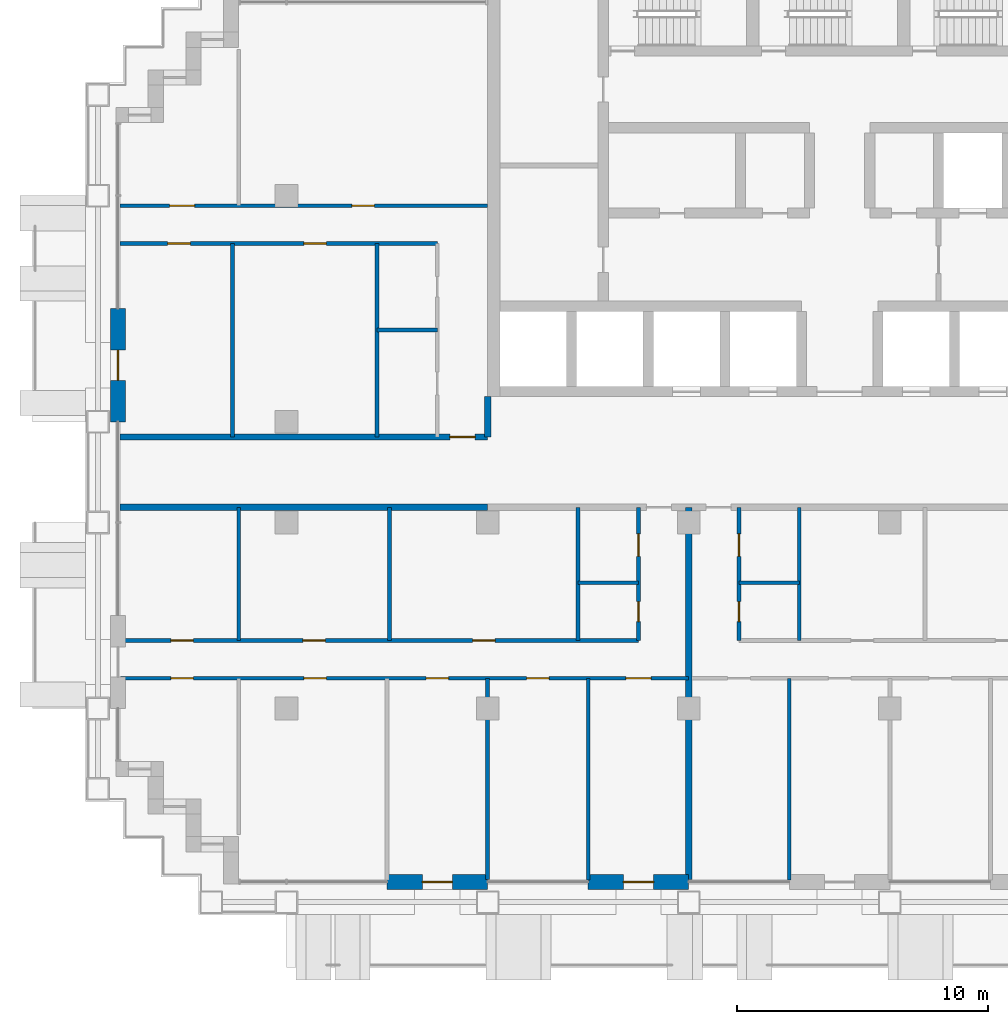
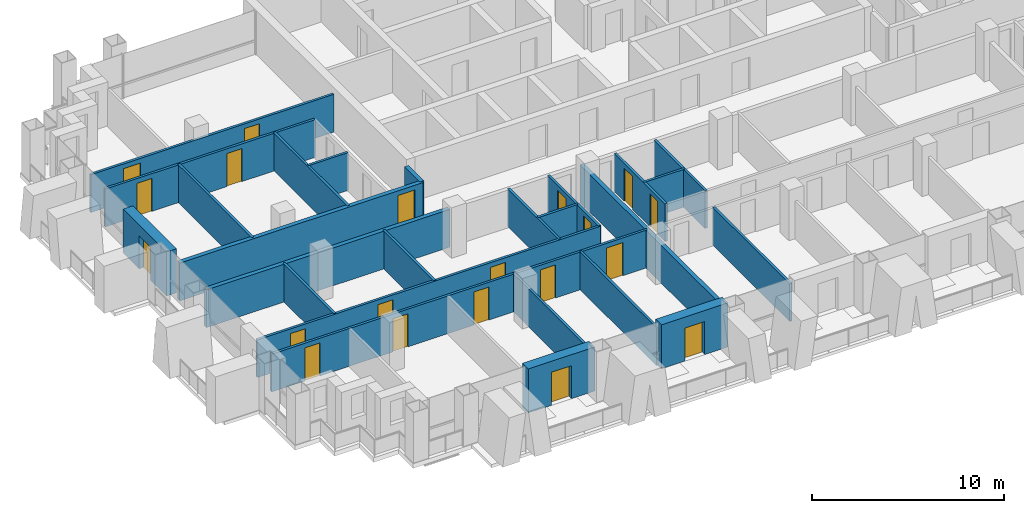
# One storey, part 9 of 18: 25 walls, 20 doors, 20 openings.
"""IFC4 building model written with IfcOpenShell, lengths in metres."""

from ifc_helpers import new_model, si_unit, direction, frame, frame_2d, origin, place, context, subcontext, project, spatial, rectangle, extrude, material, layer, layer_set, type_object, element, fill, save


model = new_model("IFC4")

# Units and contexts
model_context = context("Model", 3, precision=1e-05, world=origin(), true_north=direction((0.0, 1.0)))
body_context = subcontext(model_context, "Body", "Model", "MODEL_VIEW")
ifc_project = project(units=[si_unit("LENGTHUNIT", "METRE"), si_unit("AREAUNIT", "SQUARE_METRE"), si_unit("VOLUMEUNIT", "CUBIC_METRE"), si_unit("PLANEANGLEUNIT", "RADIAN"), si_unit("MASSUNIT", "GRAM", prefix="KILO")], contexts=[model_context])

# Site, building, storey
site_placement = place(None, origin())
site = spatial("IfcSite", under=ifc_project, at=site_placement, CompositionType="ELEMENT")
building_placement = place(site_placement, origin())
building = spatial("IfcBuilding", under=site, at=building_placement, Name="Vidyagriha Tower", CompositionType="ELEMENT")
storey_placement = place(building_placement, frame((0.0, 0.0, 103.10009765625)))
storey = spatial("IfcBuildingStorey", under=building, at=storey_placement, Name="L27", CompositionType="ELEMENT", Elevation=103.10009765625)

# Wall, opening, door
ifc_material_1 = material(Name="Precast concrete C40/50 with brick facing", Category="concrete")
ifc_layer_1 = layer(ifc_material_1, 0.60009765625)
ifc_layer_set_1 = layer_set([ifc_layer_1], Name="Precast concrete C40/50 with brick facing")
wall_type_1 = type_object("IfcWallType", Name="Brick-faced precast wall 600", PredefinedType="STANDARD", material=ifc_layer_set_1)
wall_1_placement = place(storey_placement, frame((-28.699951171875, 6.5, 0.0), z_axis=(0.0, 0.0, 1.0), x_axis=(0.0, -1.0, 0.0)))
wall_1 = element("IfcWall", 1, at=wall_1_placement, inside=storey, type_object=wall_type_1, Name="Brick door bay wall L27 R16.3", PredefinedType="STANDARD", context=body_context, shape_type="SweptSolid", body=[
    extrude(rectangle(XDim=4.5, YDim=0.60009765625, at=frame_2d((2.25, 0.0))), origin(), (0.0, 0.0, 1.0), 2.7998046875),
])
opening_1_placement = place(wall_1_placement, frame((1.64990234375, 0.0, 0.0)))
opening_1 = element("IfcOpeningElement", 2, at=opening_1_placement, cuts=wall_1, Name="Opening D27-68", PredefinedType="OPENING", context=body_context, shape_type="SweptSolid", body=[
    extrude(rectangle(XDim=1.199951171875, YDim=2.10009765625, at=frame_2d((0.60009765625, 1.050048828125))), frame((0.0, 0.31005859375, 0.0), z_axis=(0.0, -1.0, 0.0), x_axis=(1.0, 0.0, 0.0)), (0.0, 0.0, 1.0), 0.6201171875),
])
ifc_material_2 = material(Name="Aluminium framed glazed sliding door", Category="aluminium")
door_type_1 = type_object("IfcDoorType", Name="Balcony sliding door 1200x2100", OperationType="NOTDEFINED", PredefinedType="DOOR", material=ifc_material_2)
door_1_placement = place(opening_1_placement, origin())
door_1 = element("IfcDoor", 3, at=door_1_placement, inside=storey, type_object=door_type_1, Name="Door D27-68", OperationType="SLIDING_TO_LEFT", OverallHeight=2.10009765625, OverallWidth=1.199951171875, PredefinedType="DOOR", context=body_context, shape_type="SweptSolid", body=[
    extrude(rectangle(XDim=1.199951171875, YDim=2.10009765625, at=frame_2d((0.60009765625, 1.050048828125))), frame((0.0, 0.02490234375, 0.0), z_axis=(0.0, -1.0, 0.0), x_axis=(1.0, 0.0, 0.0)), (0.0, 0.0, 1.0), 0.050048828125),
])
fill(opening_1, door_1)

wall_2_placement = place(storey_placement, frame((-18.0, -16.300048828125, 0.0)))
wall_2 = element("IfcWall", 4, at=wall_2_placement, inside=storey, type_object=wall_type_1, Name="Brick door bay wall L27 R23.3", PredefinedType="STANDARD", context=body_context, shape_type="SweptSolid", body=[
    extrude(rectangle(XDim=4.0, YDim=0.60009765625, at=frame_2d((2.0, 0.0))), origin(), (0.0, 0.0, 1.0), 2.7998046875),
])
opening_2_placement = place(wall_2_placement, frame((1.39990234375, 0.0, 0.0)))
opening_2 = element("IfcOpeningElement", 5, at=opening_2_placement, cuts=wall_2, Name="Opening D27-70", PredefinedType="OPENING", context=body_context, shape_type="SweptSolid", body=[
    extrude(rectangle(XDim=1.199951171875, YDim=2.10009765625, at=frame_2d((0.60009765625, 1.050048828125))), frame((0.0, 0.31005859375, 0.0), z_axis=(0.0, -1.0, 0.0), x_axis=(1.0, 0.0, 0.0)), (0.0, 0.0, 1.0), 0.6201171875),
])
door_2_placement = place(opening_2_placement, origin())
door_2 = element("IfcDoor", 6, at=door_2_placement, inside=storey, type_object=door_type_1, Name="Door D27-70", OperationType="SLIDING_TO_LEFT", OverallHeight=2.10009765625, OverallWidth=1.199951171875, PredefinedType="DOOR", context=body_context, shape_type="SweptSolid", body=[
    extrude(rectangle(XDim=1.199951171875, YDim=2.10009765625, at=frame_2d((0.60009765625, 1.050048828125))), frame((0.0, 0.02490234375, 0.0), z_axis=(0.0, -1.0, 0.0), x_axis=(1.0, 0.0, 0.0)), (0.0, 0.0, 1.0), 0.050048828125),
])
fill(opening_2, door_2)

wall_3_placement = place(storey_placement, frame((-10.0, -16.300048828125, 0.0)))
wall_3 = element("IfcWall", 7, at=wall_3_placement, inside=storey, type_object=wall_type_1, Name="Brick door bay wall L27 R23.5", PredefinedType="STANDARD", context=body_context, shape_type="SweptSolid", body=[
    extrude(rectangle(XDim=4.0, YDim=0.60009765625, at=frame_2d((2.0, 0.0))), origin(), (0.0, 0.0, 1.0), 2.7998046875),
])
opening_3_placement = place(wall_3_placement, frame((1.39990234375, 0.0, 0.0)))
opening_3 = element("IfcOpeningElement", 8, at=opening_3_placement, cuts=wall_3, Name="Opening D27-71", PredefinedType="OPENING", context=body_context, shape_type="SweptSolid", body=[
    extrude(rectangle(XDim=1.199951171875, YDim=2.10009765625, at=frame_2d((0.60009765625, 1.050048828125))), frame((0.0, 0.31005859375, 0.0), z_axis=(0.0, -1.0, 0.0), x_axis=(1.0, 0.0, 0.0)), (0.0, 0.0, 1.0), 0.6201171875),
])
door_3_placement = place(opening_3_placement, origin())
door_3 = element("IfcDoor", 9, at=door_3_placement, inside=storey, type_object=door_type_1, Name="Door D27-71", OperationType="SLIDING_TO_LEFT", OverallHeight=2.10009765625, OverallWidth=1.199951171875, PredefinedType="DOOR", context=body_context, shape_type="SweptSolid", body=[
    extrude(rectangle(XDim=1.199951171875, YDim=2.10009765625, at=frame_2d((0.60009765625, 1.050048828125))), frame((0.0, 0.02490234375, 0.0), z_axis=(0.0, -1.0, 0.0), x_axis=(1.0, 0.0, 0.0)), (0.0, 0.0, 1.0), 0.050048828125),
])
fill(opening_3, door_3)

# Wall
ifc_material_3 = material(Name="Fired clay brick masonry", Category="masonry")
ifc_layer_2 = layer(ifc_material_3, 0.25)
ifc_layer_set_2 = layer_set([ifc_layer_2], Name="Fired clay brick masonry")
wall_type_2 = type_object("IfcWallType", Name="Fired clay brick corridor wall 250", PredefinedType="PARTITIONING", material=ifc_layer_set_2)
wall_4_placement = place(storey_placement, frame((-14.0, -1.39990234375, 0.0), z_axis=(0.0, 0.0, 1.0), x_axis=(-1.0, 0.0, 0.0)))
element("IfcWall", 10, at=wall_4_placement, inside=storey, type_object=wall_type_2, Name="Wall all-L27-w067", PredefinedType="PARTITIONING", context=body_context, shape_type="SweptSolid", body=[
    extrude(rectangle(XDim=14.6201171875, YDim=0.25, at=frame_2d((7.31005859375, 0.0))), origin(), (0.0, 0.0, 1.0), 2.39990234375),
])

# Wall, opening, door
wall_5_placement = place(storey_placement, frame((-28.6201171875, 1.39990234375, 0.0)))
wall_5 = element("IfcWall", 11, at=wall_5_placement, inside=storey, type_object=wall_type_2, Name="Wall all-L27-w084", PredefinedType="PARTITIONING", context=body_context, shape_type="SweptSolid", body=[
    extrude(rectangle(XDim=14.6201171875, YDim=0.25, at=frame_2d((7.31005859375, 0.0))), origin(), (0.0, 0.0, 1.0), 2.39990234375),
])
opening_4_placement = place(wall_5_placement, frame((13.1201171875, 0.0, 0.0)))
opening_4 = element("IfcOpeningElement", 12, at=opening_4_placement, cuts=wall_5, Name="Opening D27-52", PredefinedType="OPENING", context=body_context, shape_type="SweptSolid", body=[
    extrude(rectangle(XDim=1.0, YDim=2.10009765625, at=frame_2d((0.5, 1.050048828125))), frame((0.0, 0.135009765625, 0.0), z_axis=(0.0, -1.0, 0.0), x_axis=(1.0, 0.0, 0.0)), (0.0, 0.0, 1.0), 0.27001953125),
])
ifc_material_4 = material(Name="Fire-rated timber door leaf EI 60", Category="wood")
door_type_2 = type_object("IfcDoorType", Name="Flat entrance fire door 1000x2100", OperationType="NOTDEFINED", PredefinedType="DOOR", material=ifc_material_4)
door_4_placement = place(opening_4_placement, origin())
door_4 = element("IfcDoor", 13, at=door_4_placement, inside=storey, type_object=door_type_2, Name="Door D27-52", OperationType="SINGLE_SWING_RIGHT", OverallHeight=2.10009765625, OverallWidth=1.0, PredefinedType="DOOR", context=body_context, shape_type="SweptSolid", body=[
    extrude(rectangle(XDim=1.0, YDim=2.10009765625, at=frame_2d((0.5, 1.050048828125))), frame((0.0, 0.02490234375, 0.0), z_axis=(0.0, -1.0, 0.0), x_axis=(1.0, 0.0, 0.0)), (0.0, 0.0, 1.0), 0.050048828125),
])
fill(opening_4, door_4)

# Walls
wall_6_placement = place(storey_placement, frame((-14.0, 3.0, 0.0), z_axis=(0.0, 0.0, 1.0), x_axis=(0.0, -1.0, 0.0)))
element("IfcWall", 14, at=wall_6_placement, inside=storey, type_object=wall_type_2, Name="Wall all-L27-w119", PredefinedType="PARTITIONING", context=body_context, shape_type="SweptSolid", body=[
    extrude(rectangle(XDim=1.60009765625, YDim=0.25, at=frame_2d((0.800048828125, 0.0))), origin(), (0.0, 0.0, 1.0), 2.39990234375),
])
ifc_material_5 = material(Name="Fired clay brick masonry", Category="masonry")
ifc_layer_3 = layer(ifc_material_5, 0.25)
ifc_layer_set_3 = layer_set([ifc_layer_3], Name="Fired clay brick masonry")
wall_type_3 = type_object("IfcWallType", Name="Fired clay brick demising wall 250", PredefinedType="PARTITIONING", material=ifc_layer_set_3)
wall_7_placement = place(storey_placement, frame((-6.0, -1.39990234375, 0.0), z_axis=(0.0, 0.0, 1.0), x_axis=(0.0, -1.0, 0.0)))
element("IfcWall", 15, at=wall_7_placement, inside=storey, type_object=wall_type_3, Name="Wall all-L27-w045", PredefinedType="PARTITIONING", context=body_context, shape_type="SweptSolid", body=[
    extrude(rectangle(XDim=14.81005859375, YDim=0.25, at=frame_2d((7.405029296875, 0.0))), origin(), (0.0, 0.0, 1.0), 2.39990234375),
])
ifc_material_6 = material(Name="Gypsum board partition")
ifc_layer_4 = layer(ifc_material_6, 0.14990234375)
ifc_layer_set_4 = layer_set([ifc_layer_4], Name="Gypsum board partition")
wall_type_4 = type_object("IfcWallType", Name="Gypsum board partition 150", PredefinedType="PARTITIONING", material=ifc_layer_set_4)
wall_8_placement = place(storey_placement, frame((-8.0, -4.39990234375, 0.0), z_axis=(0.0, 0.0, 1.0), x_axis=(-1.0, 0.0, 0.0)))
element("IfcWall", 16, at=wall_8_placement, inside=storey, type_object=wall_type_4, Name="Wall all-L27-w004", PredefinedType="PARTITIONING", context=body_context, shape_type="SweptSolid", body=[
    extrude(rectangle(XDim=2.39990234375, YDim=0.14990234375, at=frame_2d((1.199951171875, 0.0))), origin(), (0.0, 0.0, 1.0), 2.39990234375),
])
for number, where, z_axis, x_axis, name in (
    (17, (-10.39990234375, -6.699951171875, 0.0), (0.0, 0.0, 1.0), (0.0, 1.0, 0.0), "Wall all-L27-w005"),
    (18, (-17.89990234375, -6.699951171875, 0.0), (0.0, 0.0, 1.0), (0.0, 1.0, 0.0), "Wall all-L27-w006"),
    (19, (-23.89990234375, -6.699951171875, 0.0), (0.0, 0.0, 1.0), (0.0, 1.0, 0.0), "Wall all-L27-w007"),
):
    element("IfcWall", number, at=place(storey_placement, frame(where, z_axis=z_axis, x_axis=x_axis)), inside=storey, type_object=wall_type_4, Name=name, PredefinedType="PARTITIONING", context=body_context, shape_type="SweptSolid", body=[
        extrude(rectangle(XDim=5.300048828125, YDim=0.14990234375, at=frame_2d((2.64990234375, 0.0))), origin(), (0.0, 0.0, 1.0), 2.39990234375),
    ])

# Wall, openings, doors
wall_9_placement = place(storey_placement, frame((-28.610107421875, -6.699951171875, 0.0)))
wall_9 = element("IfcWall", 20, at=wall_9_placement, inside=storey, type_object=wall_type_4, Name="Wall all-L27-w008", PredefinedType="PARTITIONING", context=body_context, shape_type="SweptSolid", body=[
    extrude(rectangle(XDim=20.610107421875, YDim=0.14990234375, at=frame_2d((10.30517578125, 0.0))), origin(), (0.0, 0.0, 1.0), 2.39990234375),
])
opening_5_placement = place(wall_9_placement, frame((14.010009765625, 0.0, 0.0)))
opening_5 = element("IfcOpeningElement", 21, at=opening_5_placement, cuts=wall_9, Name="Opening D27-16", PredefinedType="OPENING", context=body_context, shape_type="SweptSolid", body=[
    extrude(rectangle(XDim=0.89990234375, YDim=2.10009765625, at=frame_2d((0.449951171875, 1.050048828125))), frame((0.0, 0.0849609375, 0.0), z_axis=(0.0, -1.0, 0.0), x_axis=(1.0, 0.0, 0.0)), (0.0, 0.0, 1.0), 0.169921875),
])
opening_6_placement = place(wall_9_placement, frame((7.260009765625, 0.0, 0.0)))
opening_6 = element("IfcOpeningElement", 22, at=opening_6_placement, cuts=wall_9, Name="Opening D27-17", PredefinedType="OPENING", context=body_context, shape_type="SweptSolid", body=[
    extrude(rectangle(XDim=0.89990234375, YDim=2.10009765625, at=frame_2d((0.449951171875, 1.050048828125))), frame((0.0, 0.0849609375, 0.0), z_axis=(0.0, -1.0, 0.0), x_axis=(1.0, 0.0, 0.0)), (0.0, 0.0, 1.0), 0.169921875),
])
opening_7_placement = place(wall_9_placement, frame((2.010009765625, 0.0, 0.0)))
opening_7 = element("IfcOpeningElement", 23, at=opening_7_placement, cuts=wall_9, Name="Opening D27-18", PredefinedType="OPENING", context=body_context, shape_type="SweptSolid", body=[
    extrude(rectangle(XDim=0.89990234375, YDim=2.10009765625, at=frame_2d((0.449951171875, 1.050048828125))), frame((0.0, 0.0849609375, 0.0), z_axis=(0.0, -1.0, 0.0), x_axis=(1.0, 0.0, 0.0)), (0.0, 0.0, 1.0), 0.169921875),
])
ifc_material_7 = material(Name="Timber door leaf", Category="wood")
door_type_3 = type_object("IfcDoorType", Name="Room door 900x2100", OperationType="NOTDEFINED", PredefinedType="DOOR", material=ifc_material_7)
door_5_placement = place(opening_5_placement, origin())
door_5 = element("IfcDoor", 24, at=door_5_placement, inside=storey, type_object=door_type_3, Name="Door D27-16", OperationType="SINGLE_SWING_LEFT", OverallHeight=2.10009765625, OverallWidth=0.89990234375, PredefinedType="DOOR", context=body_context, shape_type="SweptSolid", body=[
    extrude(rectangle(XDim=0.89990234375, YDim=2.10009765625, at=frame_2d((0.449951171875, 1.050048828125))), frame((0.0, 0.02490234375, 0.0), z_axis=(0.0, -1.0, 0.0), x_axis=(1.0, 0.0, 0.0)), (0.0, 0.0, 1.0), 0.050048828125),
])
fill(opening_5, door_5)
door_6_placement = place(opening_6_placement, origin())
door_6 = element("IfcDoor", 25, at=door_6_placement, inside=storey, type_object=door_type_3, Name="Door D27-17", OperationType="SINGLE_SWING_RIGHT", OverallHeight=2.10009765625, OverallWidth=0.89990234375, PredefinedType="DOOR", context=body_context, shape_type="SweptSolid", body=[
    extrude(rectangle(XDim=0.89990234375, YDim=2.10009765625, at=frame_2d((0.449951171875, 1.050048828125))), frame((0.0, 0.02490234375, 0.0), z_axis=(0.0, -1.0, 0.0), x_axis=(1.0, 0.0, 0.0)), (0.0, 0.0, 1.0), 0.050048828125),
])
fill(opening_6, door_6)
door_7_placement = place(opening_7_placement, origin())
door_7 = element("IfcDoor", 26, at=door_7_placement, inside=storey, type_object=door_type_3, Name="Door D27-18", OperationType="SINGLE_SWING_RIGHT", OverallHeight=2.10009765625, OverallWidth=0.89990234375, PredefinedType="DOOR", context=body_context, shape_type="SweptSolid", body=[
    extrude(rectangle(XDim=0.89990234375, YDim=2.10009765625, at=frame_2d((0.449951171875, 1.050048828125))), frame((0.0, 0.02490234375, 0.0), z_axis=(0.0, -1.0, 0.0), x_axis=(1.0, 0.0, 0.0)), (0.0, 0.0, 1.0), 0.050048828125),
])
fill(opening_7, door_7)

wall_10_placement = place(storey_placement, frame((-6.0, -8.199951171875, 0.0), z_axis=(0.0, 0.0, 1.0), x_axis=(-1.0, 0.0, 0.0)))
wall_10 = element("IfcWall", 27, at=wall_10_placement, inside=storey, type_object=wall_type_4, Name="Wall all-L27-w012", PredefinedType="PARTITIONING", context=body_context, shape_type="SweptSolid", body=[
    extrude(rectangle(XDim=22.610107421875, YDim=0.14990234375, at=frame_2d((11.30517578125, 0.0))), origin(), (0.0, 0.0, 1.0), 2.39990234375),
])
opening_8_placement = place(wall_10_placement, frame((19.699951171875, 0.0, 0.0)))
opening_8 = element("IfcOpeningElement", 28, at=opening_8_placement, cuts=wall_10, Name="Opening D27-19", PredefinedType="OPENING", context=body_context, shape_type="SweptSolid", body=[
    extrude(rectangle(XDim=0.89990234375, YDim=2.10009765625, at=frame_2d((0.449951171875, 1.050048828125))), frame((0.0, 0.0849609375, 0.0), z_axis=(0.0, -1.0, 0.0), x_axis=(1.0, 0.0, 0.0)), (0.0, 0.0, 1.0), 0.169921875),
])
opening_9_placement = place(wall_10_placement, frame((14.410888671875, 0.0, 0.0)))
opening_9 = element("IfcOpeningElement", 29, at=opening_9_placement, cuts=wall_10, Name="Opening D27-20", PredefinedType="OPENING", context=body_context, shape_type="SweptSolid", body=[
    extrude(rectangle(XDim=0.89990234375, YDim=2.10009765625, at=frame_2d((0.449951171875, 1.050048828125))), frame((0.0, 0.0849609375, 0.0), z_axis=(0.0, -1.0, 0.0), x_axis=(1.0, 0.0, 0.0)), (0.0, 0.0, 1.0), 0.169921875),
])
opening_10_placement = place(wall_10_placement, frame((9.550048828125, 0.0, 0.0)))
opening_10 = element("IfcOpeningElement", 30, at=opening_10_placement, cuts=wall_10, Name="Opening D27-21", PredefinedType="OPENING", context=body_context, shape_type="SweptSolid", body=[
    extrude(rectangle(XDim=0.89990234375, YDim=2.10009765625, at=frame_2d((0.449951171875, 1.050048828125))), frame((0.0, 0.0849609375, 0.0), z_axis=(0.0, -1.0, 0.0), x_axis=(1.0, 0.0, 0.0)), (0.0, 0.0, 1.0), 0.169921875),
])
opening_11_placement = place(wall_10_placement, frame((5.550048828125, 0.0, 0.0)))
opening_11 = element("IfcOpeningElement", 31, at=opening_11_placement, cuts=wall_10, Name="Opening D27-22", PredefinedType="OPENING", context=body_context, shape_type="SweptSolid", body=[
    extrude(rectangle(XDim=0.89990234375, YDim=2.10009765625, at=frame_2d((0.449951171875, 1.050048828125))), frame((0.0, 0.0849609375, 0.0), z_axis=(0.0, -1.0, 0.0), x_axis=(1.0, 0.0, 0.0)), (0.0, 0.0, 1.0), 0.169921875),
])
opening_12_placement = place(wall_10_placement, frame((1.5, 0.0, 0.0)))
opening_12 = element("IfcOpeningElement", 32, at=opening_12_placement, cuts=wall_10, Name="Opening D27-23", PredefinedType="OPENING", context=body_context, shape_type="SweptSolid", body=[
    extrude(rectangle(XDim=1.0, YDim=2.10009765625, at=frame_2d((0.5, 1.050048828125))), frame((0.0, 0.0849609375, 0.0), z_axis=(0.0, -1.0, 0.0), x_axis=(1.0, 0.0, 0.0)), (0.0, 0.0, 1.0), 0.169921875),
])
ifc_material_8 = material(Name="Timber door leaf", Category="wood")
door_type_4 = type_object("IfcDoorType", Name="Room door 1000x2100", OperationType="NOTDEFINED", PredefinedType="DOOR", material=ifc_material_8)
door_8_placement = place(opening_12_placement, origin())
door_8 = element("IfcDoor", 33, at=door_8_placement, inside=storey, type_object=door_type_4, Name="Door D27-23", OperationType="SINGLE_SWING_RIGHT", OverallHeight=2.10009765625, OverallWidth=1.0, PredefinedType="DOOR", context=body_context, shape_type="SweptSolid", body=[
    extrude(rectangle(XDim=1.0, YDim=2.10009765625, at=frame_2d((0.5, 1.050048828125))), frame((0.0, 0.02490234375, 0.0), z_axis=(0.0, -1.0, 0.0), x_axis=(1.0, 0.0, 0.0)), (0.0, 0.0, 1.0), 0.050048828125),
])
fill(opening_12, door_8)
door_9_placement = place(opening_8_placement, origin())
door_9 = element("IfcDoor", 34, at=door_9_placement, inside=storey, type_object=door_type_3, Name="Door D27-19", OperationType="SINGLE_SWING_RIGHT", OverallHeight=2.10009765625, OverallWidth=0.89990234375, PredefinedType="DOOR", context=body_context, shape_type="SweptSolid", body=[
    extrude(rectangle(XDim=0.89990234375, YDim=2.10009765625, at=frame_2d((0.449951171875, 1.050048828125))), frame((0.0, 0.02490234375, 0.0), z_axis=(0.0, -1.0, 0.0), x_axis=(1.0, 0.0, 0.0)), (0.0, 0.0, 1.0), 0.050048828125),
])
fill(opening_8, door_9)
door_10_placement = place(opening_9_placement, origin())
door_10 = element("IfcDoor", 35, at=door_10_placement, inside=storey, type_object=door_type_3, Name="Door D27-20", OperationType="SINGLE_SWING_LEFT", OverallHeight=2.10009765625, OverallWidth=0.89990234375, PredefinedType="DOOR", context=body_context, shape_type="SweptSolid", body=[
    extrude(rectangle(XDim=0.89990234375, YDim=2.10009765625, at=frame_2d((0.449951171875, 1.050048828125))), frame((0.0, 0.02490234375, 0.0), z_axis=(0.0, -1.0, 0.0), x_axis=(1.0, 0.0, 0.0)), (0.0, 0.0, 1.0), 0.050048828125),
])
fill(opening_9, door_10)
door_11_placement = place(opening_10_placement, origin())
door_11 = element("IfcDoor", 36, at=door_11_placement, inside=storey, type_object=door_type_3, Name="Door D27-21", OperationType="SINGLE_SWING_RIGHT", OverallHeight=2.10009765625, OverallWidth=0.89990234375, PredefinedType="DOOR", context=body_context, shape_type="SweptSolid", body=[
    extrude(rectangle(XDim=0.89990234375, YDim=2.10009765625, at=frame_2d((0.449951171875, 1.050048828125))), frame((0.0, 0.02490234375, 0.0), z_axis=(0.0, -1.0, 0.0), x_axis=(1.0, 0.0, 0.0)), (0.0, 0.0, 1.0), 0.050048828125),
])
fill(opening_10, door_11)
door_12_placement = place(opening_11_placement, origin())
door_12 = element("IfcDoor", 37, at=door_12_placement, inside=storey, type_object=door_type_3, Name="Door D27-22", OperationType="SINGLE_SWING_RIGHT", OverallHeight=2.10009765625, OverallWidth=0.89990234375, PredefinedType="DOOR", context=body_context, shape_type="SweptSolid", body=[
    extrude(rectangle(XDim=0.89990234375, YDim=2.10009765625, at=frame_2d((0.449951171875, 1.050048828125))), frame((0.0, 0.02490234375, 0.0), z_axis=(0.0, -1.0, 0.0), x_axis=(1.0, 0.0, 0.0)), (0.0, 0.0, 1.0), 0.050048828125),
])
fill(opening_11, door_12)

# Walls
wall_11_placement = place(storey_placement, frame((-14.0, -8.199951171875, 0.0), z_axis=(0.0, 0.0, 1.0), x_axis=(0.0, -1.0, 0.0)))
element("IfcWall", 38, at=wall_11_placement, inside=storey, type_object=wall_type_4, Name="Wall all-L27-w020", PredefinedType="PARTITIONING", context=body_context, shape_type="SweptSolid", body=[
    extrude(rectangle(XDim=8.010009765625, YDim=0.14990234375, at=frame_2d((4.0048828125, 0.0))), origin(), (0.0, 0.0, 1.0), 2.39990234375),
])
wall_12_placement = place(storey_placement, frame((-10.0, -8.199951171875, 0.0), z_axis=(0.0, 0.0, 1.0), x_axis=(0.0, -1.0, 0.0)))
element("IfcWall", 39, at=wall_12_placement, inside=storey, type_object=wall_type_4, Name="Wall all-L27-w021", PredefinedType="PARTITIONING", context=body_context, shape_type="SweptSolid", body=[
    extrude(rectangle(XDim=8.02099609375, YDim=0.14990234375, at=frame_2d((4.010498046875, 0.0))), origin(), (0.0, 0.0, 1.0), 2.39990234375),
])
wall_13_placement = place(storey_placement, frame((-1.60009765625, -4.39990234375, 0.0), z_axis=(0.0, 0.0, 1.0), x_axis=(-1.0, 0.0, 0.0)))
element("IfcWall", 40, at=wall_13_placement, inside=storey, type_object=wall_type_4, Name="Wall all-L27-w026", PredefinedType="PARTITIONING", context=body_context, shape_type="SweptSolid", body=[
    extrude(rectangle(XDim=2.39990234375, YDim=0.14990234375, at=frame_2d((1.199951171875, 0.0))), origin(), (0.0, 0.0, 1.0), 2.39990234375),
])
wall_14_placement = place(storey_placement, frame((-1.60009765625, -1.39990234375, 0.0), z_axis=(0.0, 0.0, 1.0), x_axis=(0.0, -1.0, 0.0)))
element("IfcWall", 41, at=wall_14_placement, inside=storey, type_object=wall_type_4, Name="Wall all-L27-w027", PredefinedType="PARTITIONING", context=body_context, shape_type="SweptSolid", body=[
    extrude(rectangle(XDim=5.300048828125, YDim=0.14990234375, at=frame_2d((2.64990234375, 0.0))), origin(), (0.0, 0.0, 1.0), 2.39990234375),
])
wall_15_placement = place(storey_placement, frame((-2.0, -8.199951171875, 0.0), z_axis=(0.0, 0.0, 1.0), x_axis=(0.0, -1.0, 0.0)))
element("IfcWall", 42, at=wall_15_placement, inside=storey, type_object=wall_type_4, Name="Wall all-L27-w040", PredefinedType="PARTITIONING", context=body_context, shape_type="SweptSolid", body=[
    extrude(rectangle(XDim=8.02099609375, YDim=0.14990234375, at=frame_2d((4.010498046875, 0.0))), origin(), (0.0, 0.0, 1.0), 2.39990234375),
])
wall_16_placement = place(storey_placement, frame((-18.39990234375, 5.64990234375, 0.0)))
element("IfcWall", 43, at=wall_16_placement, inside=storey, type_object=wall_type_4, Name="Wall all-L27-w073", PredefinedType="PARTITIONING", context=body_context, shape_type="SweptSolid", body=[
    extrude(rectangle(XDim=2.39990234375, YDim=0.14990234375, at=frame_2d((1.199951171875, 0.0))), origin(), (0.0, 0.0, 1.0), 2.39990234375),
])
for number, where, z_axis, x_axis, name in (
    (44, (-18.39990234375, 1.39990234375, 0.0), (0.0, 0.0, 1.0), (0.0, 1.0, 0.0), "Wall all-L27-w074"),
    (45, (-24.14990234375, 1.39990234375, 0.0), (0.0, 0.0, 1.0), (0.0, 1.0, 0.0), "Wall all-L27-w075"),
):
    element("IfcWall", number, at=place(storey_placement, frame(where, z_axis=z_axis, x_axis=x_axis)), inside=storey, type_object=wall_type_4, Name=name, PredefinedType="PARTITIONING", context=body_context, shape_type="SweptSolid", body=[
        extrude(rectangle(XDim=7.7001953125, YDim=0.14990234375, at=frame_2d((3.85009765625, 0.0))), origin(), (0.0, 0.0, 1.0), 2.39990234375),
    ])

# Wall, openings, doors
wall_17_placement = place(storey_placement, frame((-16.0, 9.10009765625, 0.0), z_axis=(0.0, 0.0, 1.0), x_axis=(-1.0, 0.0, 0.0)))
wall_17 = element("IfcWall", 46, at=wall_17_placement, inside=storey, type_object=wall_type_4, Name="Wall all-L27-w076", PredefinedType="PARTITIONING", context=body_context, shape_type="SweptSolid", body=[
    extrude(rectangle(XDim=12.6201171875, YDim=0.14990234375, at=frame_2d((6.31005859375, 0.0))), origin(), (0.0, 0.0, 1.0), 2.39990234375),
])
opening_13_placement = place(wall_17_placement, frame((4.410888671875, 0.0, 0.0)))
opening_13 = element("IfcOpeningElement", 47, at=opening_13_placement, cuts=wall_17, Name="Opening D27-48", PredefinedType="OPENING", context=body_context, shape_type="SweptSolid", body=[
    extrude(rectangle(XDim=0.89990234375, YDim=2.10009765625, at=frame_2d((0.449951171875, 1.050048828125))), frame((0.0, 0.0849609375, 0.0), z_axis=(0.0, -1.0, 0.0), x_axis=(1.0, 0.0, 0.0)), (0.0, 0.0, 1.0), 0.169921875),
])
opening_14_placement = place(wall_17_placement, frame((9.824951171875, 0.0, 0.0)))
opening_14 = element("IfcOpeningElement", 48, at=opening_14_placement, cuts=wall_17, Name="Opening D27-49", PredefinedType="OPENING", context=body_context, shape_type="SweptSolid", body=[
    extrude(rectangle(XDim=0.89990234375, YDim=2.10009765625, at=frame_2d((0.449951171875, 1.050048828125))), frame((0.0, 0.0849609375, 0.0), z_axis=(0.0, -1.0, 0.0), x_axis=(1.0, 0.0, 0.0)), (0.0, 0.0, 1.0), 0.169921875),
])
door_13_placement = place(opening_13_placement, origin())
door_13 = element("IfcDoor", 49, at=door_13_placement, inside=storey, type_object=door_type_3, Name="Door D27-48", OperationType="SINGLE_SWING_LEFT", OverallHeight=2.10009765625, OverallWidth=0.89990234375, PredefinedType="DOOR", context=body_context, shape_type="SweptSolid", body=[
    extrude(rectangle(XDim=0.89990234375, YDim=2.10009765625, at=frame_2d((0.449951171875, 1.050048828125))), frame((0.0, 0.02490234375, 0.0), z_axis=(0.0, -1.0, 0.0), x_axis=(1.0, 0.0, 0.0)), (0.0, 0.0, 1.0), 0.050048828125),
])
fill(opening_13, door_13)
door_14_placement = place(opening_14_placement, origin())
door_14 = element("IfcDoor", 50, at=door_14_placement, inside=storey, type_object=door_type_3, Name="Door D27-49", OperationType="SINGLE_SWING_RIGHT", OverallHeight=2.10009765625, OverallWidth=0.89990234375, PredefinedType="DOOR", context=body_context, shape_type="SweptSolid", body=[
    extrude(rectangle(XDim=0.89990234375, YDim=2.10009765625, at=frame_2d((0.449951171875, 1.050048828125))), frame((0.0, 0.02490234375, 0.0), z_axis=(0.0, -1.0, 0.0), x_axis=(1.0, 0.0, 0.0)), (0.0, 0.0, 1.0), 0.050048828125),
])
fill(opening_14, door_14)

wall_18_placement = place(storey_placement, frame((-28.6201171875, 10.60009765625, 0.0)))
wall_18 = element("IfcWall", 51, at=wall_18_placement, inside=storey, type_object=wall_type_4, Name="Wall all-L27-w079", PredefinedType="PARTITIONING", context=body_context, shape_type="SweptSolid", body=[
    extrude(rectangle(XDim=14.6201171875, YDim=0.14990234375, at=frame_2d((7.31005859375, 0.0))), origin(), (0.0, 0.0, 1.0), 2.39990234375),
])
opening_15_placement = place(wall_18_placement, frame((1.969970703125, 0.0, 0.0)))
opening_15 = element("IfcOpeningElement", 52, at=opening_15_placement, cuts=wall_18, Name="Opening D27-50", PredefinedType="OPENING", context=body_context, shape_type="SweptSolid", body=[
    extrude(rectangle(XDim=1.0, YDim=2.10009765625, at=frame_2d((0.5, 1.050048828125))), frame((0.0, 0.0849609375, 0.0), z_axis=(0.0, -1.0, 0.0), x_axis=(1.0, 0.0, 0.0)), (0.0, 0.0, 1.0), 0.169921875),
])
opening_16_placement = place(wall_18_placement, frame((9.219970703125, 0.0, 0.0)))
opening_16 = element("IfcOpeningElement", 53, at=opening_16_placement, cuts=wall_18, Name="Opening D27-51", PredefinedType="OPENING", context=body_context, shape_type="SweptSolid", body=[
    extrude(rectangle(XDim=0.89990234375, YDim=2.10009765625, at=frame_2d((0.449951171875, 1.050048828125))), frame((0.0, 0.0849609375, 0.0), z_axis=(0.0, -1.0, 0.0), x_axis=(1.0, 0.0, 0.0)), (0.0, 0.0, 1.0), 0.169921875),
])
door_15_placement = place(opening_15_placement, origin())
door_15 = element("IfcDoor", 54, at=door_15_placement, inside=storey, type_object=door_type_4, Name="Door D27-50", OperationType="SINGLE_SWING_RIGHT", OverallHeight=2.10009765625, OverallWidth=1.0, PredefinedType="DOOR", context=body_context, shape_type="SweptSolid", body=[
    extrude(rectangle(XDim=1.0, YDim=2.10009765625, at=frame_2d((0.5, 1.050048828125))), frame((0.0, 0.02490234375, 0.0), z_axis=(0.0, -1.0, 0.0), x_axis=(1.0, 0.0, 0.0)), (0.0, 0.0, 1.0), 0.050048828125),
])
fill(opening_15, door_15)
door_16_placement = place(opening_16_placement, origin())
door_16 = element("IfcDoor", 55, at=door_16_placement, inside=storey, type_object=door_type_3, Name="Door D27-51", OperationType="SINGLE_SWING_RIGHT", OverallHeight=2.10009765625, OverallWidth=0.89990234375, PredefinedType="DOOR", context=body_context, shape_type="SweptSolid", body=[
    extrude(rectangle(XDim=0.89990234375, YDim=2.10009765625, at=frame_2d((0.449951171875, 1.050048828125))), frame((0.0, 0.02490234375, 0.0), z_axis=(0.0, -1.0, 0.0), x_axis=(1.0, 0.0, 0.0)), (0.0, 0.0, 1.0), 0.050048828125),
])
fill(opening_16, door_16)

ifc_material_9 = material(Name="Moisture resistant gypsum board partition")
ifc_layer_5 = layer(ifc_material_9, 0.14990234375)
ifc_layer_set_5 = layer_set([ifc_layer_5], Name="Moisture resistant gypsum board partition")
wall_type_5 = type_object("IfcWallType", Name="Gypsum board wet-area partition 150", PredefinedType="PARTITIONING", material=ifc_layer_set_5)
wall_19_placement = place(storey_placement, frame((-8.0, -6.699951171875, 0.0), z_axis=(0.0, 0.0, 1.0), x_axis=(0.0, 1.0, 0.0)))
wall_19 = element("IfcWall", 56, at=wall_19_placement, inside=storey, type_object=wall_type_5, Name="Wall all-L27-w001", PredefinedType="PARTITIONING", context=body_context, shape_type="SweptSolid", body=[
    extrude(rectangle(XDim=5.300048828125, YDim=0.14990234375, at=frame_2d((2.64990234375, 0.0))), origin(), (0.0, 0.0, 1.0), 2.39990234375),
])
opening_17_placement = place(wall_19_placement, frame((3.35009765625, 0.0, 0.0)))
opening_17 = element("IfcOpeningElement", 57, at=opening_17_placement, cuts=wall_19, Name="Opening D27-14", PredefinedType="OPENING", context=body_context, shape_type="SweptSolid", body=[
    extrude(rectangle(XDim=0.89990234375, YDim=2.10009765625, at=frame_2d((0.449951171875, 1.050048828125))), frame((0.0, 0.0849609375, 0.0), z_axis=(0.0, -1.0, 0.0), x_axis=(1.0, 0.0, 0.0)), (0.0, 0.0, 1.0), 0.169921875),
])
opening_18_placement = place(wall_19_placement, frame((0.75, 0.0, 0.0)))
opening_18 = element("IfcOpeningElement", 58, at=opening_18_placement, cuts=wall_19, Name="Opening D27-15", PredefinedType="OPENING", context=body_context, shape_type="SweptSolid", body=[
    extrude(rectangle(XDim=0.800048828125, YDim=2.10009765625, at=frame_2d((0.39990234375, 1.050048828125))), frame((0.0, 0.0849609375, 0.0), z_axis=(0.0, -1.0, 0.0), x_axis=(1.0, 0.0, 0.0)), (0.0, 0.0, 1.0), 0.169921875),
])
ifc_material_10 = material(Name="Timber door leaf", Category="wood")
door_type_5 = type_object("IfcDoorType", Name="Bathroom door 800x2100", OperationType="NOTDEFINED", PredefinedType="DOOR", material=ifc_material_10)
door_17_placement = place(opening_18_placement, origin())
door_17 = element("IfcDoor", 59, at=door_17_placement, inside=storey, type_object=door_type_5, Name="Door D27-15", OperationType="SINGLE_SWING_RIGHT", OverallHeight=2.10009765625, OverallWidth=0.800048828125, PredefinedType="DOOR", context=body_context, shape_type="SweptSolid", body=[
    extrude(rectangle(XDim=0.800048828125, YDim=2.10009765625, at=frame_2d((0.39990234375, 1.050048828125))), frame((0.0, 0.02490234375, 0.0), z_axis=(0.0, -1.0, 0.0), x_axis=(1.0, 0.0, 0.0)), (0.0, 0.0, 1.0), 0.050048828125),
])
fill(opening_18, door_17)
ifc_material_11 = material(Name="Timber door leaf", Category="wood")
door_type_6 = type_object("IfcDoorType", Name="Kitchen door 900x2100", OperationType="NOTDEFINED", PredefinedType="DOOR", material=ifc_material_11)
door_18_placement = place(opening_17_placement, origin())
door_18 = element("IfcDoor", 60, at=door_18_placement, inside=storey, type_object=door_type_6, Name="Door D27-14", OperationType="SINGLE_SWING_RIGHT", OverallHeight=2.10009765625, OverallWidth=0.89990234375, PredefinedType="DOOR", context=body_context, shape_type="SweptSolid", body=[
    extrude(rectangle(XDim=0.89990234375, YDim=2.10009765625, at=frame_2d((0.449951171875, 1.050048828125))), frame((0.0, 0.02490234375, 0.0), z_axis=(0.0, -1.0, 0.0), x_axis=(1.0, 0.0, 0.0)), (0.0, 0.0, 1.0), 0.050048828125),
])
fill(opening_17, door_18)

wall_20_placement = place(storey_placement, frame((-4.0, -1.39990234375, 0.0), z_axis=(0.0, 0.0, 1.0), x_axis=(0.0, -1.0, 0.0)))
wall_20 = element("IfcWall", 61, at=wall_20_placement, inside=storey, type_object=wall_type_5, Name="Wall all-L27-w023", PredefinedType="PARTITIONING", context=body_context, shape_type="SweptSolid", body=[
    extrude(rectangle(XDim=5.300048828125, YDim=0.14990234375, at=frame_2d((2.64990234375, 0.0))), origin(), (0.0, 0.0, 1.0), 2.39990234375),
])
opening_19_placement = place(wall_20_placement, frame((1.050048828125, 0.0, 0.0)))
opening_19 = element("IfcOpeningElement", 62, at=opening_19_placement, cuts=wall_20, Name="Opening D27-25", PredefinedType="OPENING", context=body_context, shape_type="SweptSolid", body=[
    extrude(rectangle(XDim=0.89990234375, YDim=2.10009765625, at=frame_2d((0.449951171875, 1.050048828125))), frame((0.0, 0.0849609375, 0.0), z_axis=(0.0, -1.0, 0.0), x_axis=(1.0, 0.0, 0.0)), (0.0, 0.0, 1.0), 0.169921875),
])
opening_20_placement = place(wall_20_placement, frame((3.75, 0.0, 0.0)))
opening_20 = element("IfcOpeningElement", 63, at=opening_20_placement, cuts=wall_20, Name="Opening D27-26", PredefinedType="OPENING", context=body_context, shape_type="SweptSolid", body=[
    extrude(rectangle(XDim=0.800048828125, YDim=2.10009765625, at=frame_2d((0.39990234375, 1.050048828125))), frame((0.0, 0.0849609375, 0.0), z_axis=(0.0, -1.0, 0.0), x_axis=(1.0, 0.0, 0.0)), (0.0, 0.0, 1.0), 0.169921875),
])
door_19_placement = place(opening_20_placement, origin())
door_19 = element("IfcDoor", 64, at=door_19_placement, inside=storey, type_object=door_type_5, Name="Door D27-26", OperationType="SINGLE_SWING_RIGHT", OverallHeight=2.10009765625, OverallWidth=0.800048828125, PredefinedType="DOOR", context=body_context, shape_type="SweptSolid", body=[
    extrude(rectangle(XDim=0.800048828125, YDim=2.10009765625, at=frame_2d((0.39990234375, 1.050048828125))), frame((0.0, 0.02490234375, 0.0), z_axis=(0.0, -1.0, 0.0), x_axis=(1.0, 0.0, 0.0)), (0.0, 0.0, 1.0), 0.050048828125),
])
fill(opening_20, door_19)
door_20_placement = place(opening_19_placement, origin())
door_20 = element("IfcDoor", 65, at=door_20_placement, inside=storey, type_object=door_type_6, Name="Door D27-25", OperationType="SINGLE_SWING_LEFT", OverallHeight=2.10009765625, OverallWidth=0.89990234375, PredefinedType="DOOR", context=body_context, shape_type="SweptSolid", body=[
    extrude(rectangle(XDim=0.89990234375, YDim=2.10009765625, at=frame_2d((0.449951171875, 1.050048828125))), frame((0.0, 0.02490234375, 0.0), z_axis=(0.0, -1.0, 0.0), x_axis=(1.0, 0.0, 0.0)), (0.0, 0.0, 1.0), 0.050048828125),
])
fill(opening_19, door_20)

save(model, "model.ifc")
